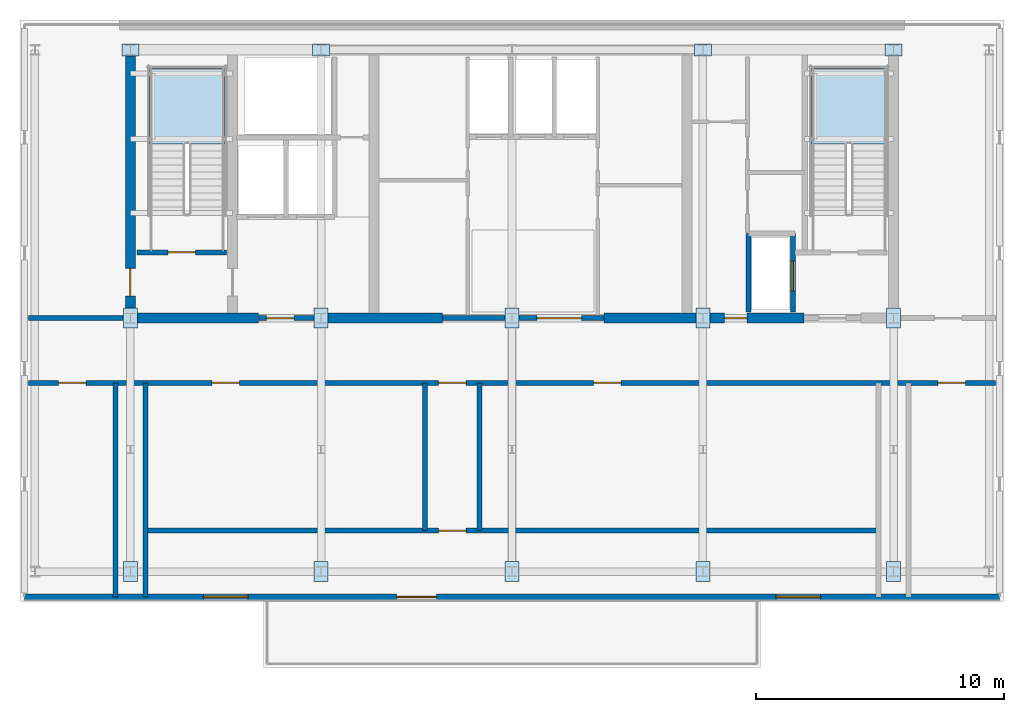
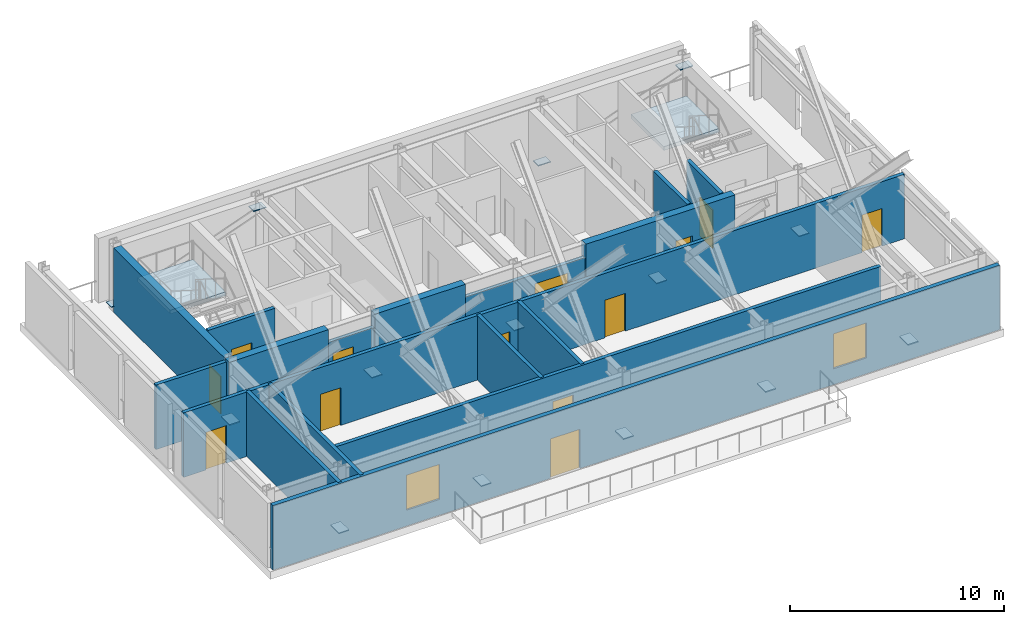
# One storey, part 2 of 8: 17 walls, 14 plates, 13 doors, 2 slabs, 2 windows, 15 openings, 2 elements without a shape of their own.
"""IFC4 building model written with IfcOpenShell, lengths in metres."""

from ifc_helpers import new_model, si_unit, direction, frame, frame_2d, origin, origin_2d, place, context, subcontext, project, spatial, polyline, rectangle, outline, extrude, material, layer, layer_set, type_object, element, fill, aggregate, save


model = new_model("IFC4")

# Units and contexts
model_context = context("Model", 3, precision=1e-05, world=origin(), true_north=direction((0.0, 1.0)))
body_context = subcontext(model_context, "Body", "Model", "MODEL_VIEW")
ifc_project = project(units=[si_unit("LENGTHUNIT", "METRE"), si_unit("AREAUNIT", "SQUARE_METRE"), si_unit("VOLUMEUNIT", "CUBIC_METRE"), si_unit("PLANEANGLEUNIT", "RADIAN"), si_unit("MASSUNIT", "GRAM", prefix="KILO")], contexts=[model_context])

# Site, building, storey
site_placement = place(None, origin())
site = spatial("IfcSite", under=ifc_project, at=site_placement, CompositionType="ELEMENT")
building_placement = place(site_placement, origin())
building = spatial("IfcBuilding", under=site, at=building_placement, Name="Yelkora Congress Tower", CompositionType="ELEMENT")
storey_placement = place(building_placement, frame((0.0, 0.0, 247.39990234375)))
storey = spatial("IfcBuildingStorey", under=building, at=storey_placement, Name="L69", CompositionType="ELEMENT", Elevation=247.39990234375)

# Plates
ifc_material_1 = material(Name="Steel S355J2", Category="steel")
ifc_layer_1 = layer(ifc_material_1, 0.050048828125)
ifc_layer_set_1 = layer_set([ifc_layer_1], Name="Steel S355J2")
plate_type_1 = type_object("IfcPlateType", Name="PLT-GUSSET-680x480", PredefinedType="USERDEFINED", material=ifc_layer_set_1)
for number, where, z_axis, x_axis, name in (
    (1, (23.0400390625, 46.199951171875, 0.3251953125), (0.0, 0.0, 1.0), (1.0, 0.0, 0.0), "N4 Core Strut Foot Gusset W"),
    (2, (30.719970703125, 46.199951171875, 3.10498046875), (0.0, 0.0, 1.0), (1.0, 0.0, 0.0), "N4 Core Strut Top Gusset W"),
    (3, (46.080078125, 46.199951171875, 0.3251953125), (0.0, 0.0, 1.0), (1.0, 0.0, 0.0), "N4 Core Strut Foot Gusset E"),
    (4, (53.760009765625, 46.199951171875, 3.10498046875), (0.0, 0.0, 1.0), (1.0, 0.0, 0.0), "N4 Core Strut Top Gusset E"),
):
    element("IfcPlate", number, at=place(storey_placement, frame(where, z_axis=z_axis, x_axis=x_axis)), inside=storey, type_object=plate_type_1, Name=name, ObjectType="GUSSET_PLATE", PredefinedType="USERDEFINED", context=body_context, shape_type="SweptSolid", body=[
        extrude(rectangle(XDim=0.679931640625, YDim=0.47998046875, at=origin_2d()), origin(), (0.0, 0.0, 1.0), 0.050048828125),
    ])
ifc_material_2 = material(Name="Steel S460M", Category="steel")
ifc_layer_2 = layer(ifc_material_2, 0.06005859375)
ifc_layer_set_2 = layer_set([ifc_layer_2], Name="Steel S460M")
plate_type_2 = type_object("IfcPlateType", Name="PLT-GUSSET-800x560", PredefinedType="USERDEFINED", material=ifc_layer_set_2)
for number, where, z_axis, x_axis, name in (
    (5, (23.0400390625, 35.39990234375, 0.219970703125), (0.0, 0.0, 1.0), (0.0, 1.0, 0.0), "N4 Outrigger End Gusset Plate 1CB"),
    (6, (23.0400390625, 25.199951171875, 0.219970703125), (0.0, 0.0, 1.0), (0.0, 1.0, 0.0), "N4 Outrigger End Gusset Plate 1SB"),
    (7, (30.719970703125, 35.39990234375, 0.219970703125), (0.0, 0.0, 1.0), (0.0, 1.0, 0.0), "N4 Outrigger End Gusset Plate 2CB"),
    (8, (30.719970703125, 25.199951171875, 0.219970703125), (0.0, 0.0, 1.0), (0.0, 1.0, 0.0), "N4 Outrigger End Gusset Plate 2SB"),
    (9, (38.39990234375, 35.39990234375, 0.219970703125), (0.0, 0.0, 1.0), (0.0, 1.0, 0.0), "N4 Outrigger End Gusset Plate 3CB"),
    (10, (38.39990234375, 25.199951171875, 0.219970703125), (0.0, 0.0, 1.0), (0.0, 1.0, 0.0), "N4 Outrigger End Gusset Plate 3SB"),
    (11, (46.080078125, 35.39990234375, 0.219970703125), (0.0, 0.0, 1.0), (0.0, 1.0, 0.0), "N4 Outrigger End Gusset Plate 4CB"),
    (12, (46.080078125, 25.199951171875, 0.219970703125), (0.0, 0.0, 1.0), (0.0, 1.0, 0.0), "N4 Outrigger End Gusset Plate 4SB"),
    (13, (53.760009765625, 35.39990234375, 0.219970703125), (0.0, 0.0, 1.0), (0.0, 1.0, 0.0), "N4 Outrigger End Gusset Plate 5CB"),
    (14, (53.760009765625, 25.199951171875, 0.219970703125), (0.0, 0.0, 1.0), (0.0, 1.0, 0.0), "N4 Outrigger End Gusset Plate 5SB"),
):
    element("IfcPlate", number, at=place(storey_placement, frame(where, z_axis=z_axis, x_axis=x_axis)), inside=storey, type_object=plate_type_2, Name=name, ObjectType="GUSSET_PLATE", PredefinedType="USERDEFINED", context=body_context, shape_type="SweptSolid", body=[
        extrude(rectangle(XDim=0.800048828125, YDim=0.56005859375, at=origin_2d()), origin(), (0.0, 0.0, 1.0), 0.06005859375),
    ])

# Stair, slab
ifc_material_3 = material(Name="Concrete C40/50", Category="concrete")
stair_type = type_object("IfcStairType", Name="STAIR-HT-1420-R22-177", PredefinedType="HALF_TURN_STAIR", material=ifc_material_3)
stair_1_placement = place(storey_placement, origin())
stair_1 = element("IfcStair", 15, at=stair_1_placement, inside=storey, type_object=stair_type, Name="West Core Protected Exit Stair ST-01 (L69)", PredefinedType="HALF_TURN_STAIR")
ifc_layer_3 = layer(ifc_material_3, 0.219970703125)
ifc_layer_set_3 = layer_set([ifc_layer_3], Name="Concrete C40/50")
slab_type = type_object("IfcSlabType", Name="SLAB-LANDING-220", PredefinedType="LANDING", material=ifc_layer_set_3)
slab_1_placement = place(storey_placement, frame((0.0, 0.0, 1.72998046875)))
slab_1 = element("IfcSlab", 16, at=slab_1_placement, type_object=slab_type, Name="ST-01 L69 Half Landing 1", PredefinedType="LANDING", context=body_context, shape_type="SweptSolid", body=[
    extrude(outline(polyline([(26.820068359375, 42.39990234375), (26.820068359375, 45.469970703125), (23.820068359375, 45.469970703125), (23.820068359375, 42.39990234375), (26.820068359375, 42.39990234375)])), origin(), (0.0, 0.0, 1.0), 0.22021484375),
])
aggregate(stair_1, [slab_1])

stair_2_placement = place(storey_placement, origin())
stair_2 = element("IfcStair", 17, at=stair_2_placement, inside=storey, type_object=stair_type, Name="East Core Protected Exit Stair ST-02 (L69)", PredefinedType="HALF_TURN_STAIR")
slab_2_placement = place(storey_placement, frame((0.0, 0.0, 1.72998046875)))
slab_2 = element("IfcSlab", 18, at=slab_2_placement, type_object=slab_type, Name="ST-02 L69 Half Landing 1", PredefinedType="LANDING", context=body_context, shape_type="SweptSolid", body=[
    extrude(outline(polyline([(53.4599609375, 42.39990234375), (53.4599609375, 45.469970703125), (50.4599609375, 45.469970703125), (50.4599609375, 42.39990234375), (53.4599609375, 42.39990234375)])), origin(), (0.0, 0.0, 1.0), 0.22021484375),
])
aggregate(stair_2, [slab_2])

# Walls
ifc_material_4 = material(Name="Concrete C50/60", Category="concrete")
ifc_layer_4 = layer(ifc_material_4, 0.39990234375)
ifc_layer_set_4 = layer_set([ifc_layer_4], Name="Concrete C50/60")
wall_type_1 = type_object("IfcWallType", Name="WALL-CORE-INT-400", PredefinedType="SHEAR", material=ifc_layer_set_4)
wall_1_placement = place(storey_placement, frame((22.840087890625, 35.39990234375, 0.0), z_axis=(0.0, 0.0, 1.0), x_axis=(1.0, 0.0, 0.0)))
element("IfcWall", 19, at=wall_1_placement, inside=storey, type_object=wall_type_1, Name="L69 Rear Core South-West Shear Wall", PredefinedType="SHEAR", context=body_context, shape_type="SweptSolid", body=[
    extrude(rectangle(XDim=5.35986328125, YDim=0.39990234375, at=frame_2d((2.679931640625, 0.0))), origin(), (0.0, 0.0, 1.0), 3.68017578125),
])
wall_2_placement = place(storey_placement, frame((30.719970703125, 35.39990234375, 0.0), z_axis=(0.0, 0.0, 1.0), x_axis=(1.0, 0.0, 0.0)))
element("IfcWall", 20, at=wall_2_placement, inside=storey, type_object=wall_type_1, Name="L69 Rear Core South-Center Shear Pier", PredefinedType="SHEAR", context=body_context, shape_type="SweptSolid", body=[
    extrude(rectangle(XDim=4.880126953125, YDim=0.39990234375, at=frame_2d((2.43994140625, 0.0))), origin(), (0.0, 0.0, 1.0), 3.68017578125),
])

# Wall, opening, door
wall_3_placement = place(storey_placement, frame((42.10009765625, 35.39990234375, 0.0), z_axis=(0.0, 0.0, 1.0), x_axis=(1.0, 0.0, 0.0)))
wall_3 = element("IfcWall", 21, at=wall_3_placement, inside=storey, type_object=wall_type_1, Name="L69 Rear Core South-East Shear Wall A", PredefinedType="SHEAR", context=body_context, shape_type="SweptSolid", body=[
    extrude(rectangle(XDim=8.0498046875, YDim=0.39990234375, at=frame_2d((4.02490234375, 0.0))), origin(), (0.0, 0.0, 1.0), 3.68017578125),
])
opening_1_placement = place(wall_3_placement, frame((4.85009765625, 0.0, 0.0)))
opening_1 = element("IfcOpeningElement", 22, at=opening_1_placement, cuts=wall_3, Name="Opening DR-090F6", PredefinedType="OPENING", context=body_context, shape_type="SweptSolid", body=[
    extrude(rectangle(XDim=0.89990234375, YDim=2.14990234375, at=frame_2d((0.449951171875, 1.074951171875))), frame((0.0, 0.2099609375, 0.0), z_axis=(0.0, -1.0, 0.0), x_axis=(1.0, 0.0, 0.0)), (0.0, 0.0, 1.0), 0.419921875),
])
ifc_material_5 = material(Name="Painted steel riser fire door leaf", Category="steel")
door_type_1 = type_object("IfcDoorType", Name="DOOR-FD60-900", OperationType="NOTDEFINED", PredefinedType="DOOR", material=ifc_material_5)
door_1_placement = place(opening_1_placement, origin())
door_1 = element("IfcDoor", 23, at=door_1_placement, inside=storey, type_object=door_type_1, Name="L69 Core Washroom Lobby Door", OperationType="SINGLE_SWING_RIGHT", OverallHeight=2.14990234375, OverallWidth=0.89990234375, PredefinedType="DOOR", context=body_context, shape_type="SweptSolid", body=[
    extrude(rectangle(XDim=0.89990234375, YDim=2.14990234375, at=frame_2d((0.449951171875, 1.074951171875))), frame((0.0, 0.02490234375, 0.0), z_axis=(0.0, -1.0, 0.0), x_axis=(1.0, 0.0, 0.0)), (0.0, 0.0, 1.0), 0.050048828125),
])
fill(opening_1, door_1)

wall_4_placement = place(storey_placement, frame((23.0400390625, 35.60009765625, 0.0), z_axis=(0.0, 0.0, 1.0), x_axis=(0.0, 1.0, 0.0)))
wall_4 = element("IfcWall", 24, at=wall_4_placement, inside=storey, type_object=wall_type_1, Name="L69 Rear Core Cross Shear Wall W", PredefinedType="SHEAR", context=body_context, shape_type="SweptSolid", body=[
    extrude(rectangle(XDim=10.39990234375, YDim=0.39990234375, at=frame_2d((5.199951171875, 0.0))), origin(), (0.0, 0.0, 1.0), 3.68017578125),
])
opening_2_placement = place(wall_4_placement, frame((0.699951171875, 0.0, 0.0)))
opening_2 = element("IfcOpeningElement", 25, at=opening_2_placement, cuts=wall_4, Name="Opening DR-110F9", PredefinedType="OPENING", context=body_context, shape_type="SweptSolid", body=[
    extrude(rectangle(XDim=1.10009765625, YDim=2.14990234375, at=frame_2d((0.550048828125, 1.074951171875))), frame((0.0, 0.2099609375, 0.0), z_axis=(0.0, -1.0, 0.0), x_axis=(1.0, 0.0, 0.0)), (0.0, 0.0, 1.0), 0.419921875),
])
ifc_material_6 = material(Name="Galvanised steel fire door leaf", Category="steel")
door_type_2 = type_object("IfcDoorType", Name="DOOR-FD90-1100", OperationType="NOTDEFINED", PredefinedType="DOOR", material=ifc_material_6)
door_2_placement = place(opening_2_placement, origin())
door_2 = element("IfcDoor", 26, at=door_2_placement, inside=storey, type_object=door_type_2, Name="L69 Area of Refuge Direct Stair-Lobby Door", OperationType="SINGLE_SWING_LEFT", OverallHeight=2.14990234375, OverallWidth=1.10009765625, PredefinedType="DOOR", context=body_context, shape_type="SweptSolid", body=[
    extrude(rectangle(XDim=1.10009765625, YDim=2.14990234375, at=frame_2d((0.550048828125, 1.074951171875))), frame((0.0, 0.02490234375, 0.0), z_axis=(0.0, -1.0, 0.0), x_axis=(1.0, 0.0, 0.0)), (0.0, 0.0, 1.0), 0.050048828125),
])
fill(opening_2, door_2)

# Wall, openings, door, windows
ifc_layer_5 = layer(ifc_material_3, 0.239990234375)
ifc_layer_set_5 = layer_set([ifc_layer_5], Name="Concrete C40/50")
wall_type_2 = type_object("IfcWallType", Name="WALL-EXT-LIMESTONE-240", PredefinedType="SOLIDWALL", material=ifc_layer_set_5)
wall_5_placement = place(storey_placement, frame((18.780029296875, 24.179931640625, 0.0), z_axis=(0.0, 0.0, 1.0), x_axis=(1.0, 0.0, 0.0)))
wall_5 = element("IfcWall", 27, at=wall_5_placement, inside=storey, type_object=wall_type_2, Name="L69 Sky Garden Portal Wall", PredefinedType="SOLIDWALL", context=body_context, shape_type="SweptSolid", body=[
    extrude(rectangle(XDim=39.239990234375, YDim=0.239990234375, at=frame_2d((19.6201171875, 0.0))), origin(), (0.0, 0.0, 1.0), 3.68017578125),
])
opening_3_placement = place(wall_5_placement, frame((14.97998046875, 0.0, 0.0)))
opening_3 = element("IfcOpeningElement", 28, at=opening_3_placement, cuts=wall_5, Name="Opening DE-160T", PredefinedType="OPENING", context=body_context, shape_type="SweptSolid", body=[
    extrude(rectangle(XDim=1.60009765625, YDim=2.25, at=frame_2d((0.800048828125, 1.125))), frame((0.0, 0.1298828125, 0.0), z_axis=(0.0, -1.0, 0.0), x_axis=(1.0, 0.0, 0.0)), (0.0, 0.0, 1.0), 0.260009765625),
])
opening_4_placement = place(wall_5_placement, frame((7.199951171875, 0.0, 0.89990234375)))
opening_4 = element("IfcOpeningElement", 29, at=opening_4_placement, cuts=wall_5, Name="Opening WN-18", PredefinedType="OPENING", context=body_context, shape_type="SweptSolid", body=[
    extrude(rectangle(XDim=1.800048828125, YDim=2.0, at=frame_2d((0.89990234375, 1.0))), frame((0.0, 0.1298828125, 0.0), z_axis=(0.0, -1.0, 0.0), x_axis=(1.0, 0.0, 0.0)), (0.0, 0.0, 1.0), 0.260009765625),
])
opening_5_placement = place(wall_5_placement, frame((30.239990234375, 0.0, 0.89990234375)))
opening_5 = element("IfcOpeningElement", 30, at=opening_5_placement, cuts=wall_5, Name="Opening WN-18", PredefinedType="OPENING", context=body_context, shape_type="SweptSolid", body=[
    extrude(rectangle(XDim=1.800048828125, YDim=2.0, at=frame_2d((0.89990234375, 1.0))), frame((0.0, 0.1298828125, 0.0), z_axis=(0.0, -1.0, 0.0), x_axis=(1.0, 0.0, 0.0)), (0.0, 0.0, 1.0), 0.260009765625),
])
ifc_material_7 = material(Name="Thermally broken aluminium glazed terrace door", Category="aluminium")
door_type_3 = type_object("IfcDoorType", Name="DOOR-EXT-TERRACE-1600", OperationType="DOUBLE_DOOR_SINGLE_SWING", PredefinedType="DOOR", material=ifc_material_7)
door_3_placement = place(opening_3_placement, frame((1.60009765625, 0.0, 0.0), z_axis=(0.0, 0.0, 1.0), x_axis=(-1.0, 0.0, 0.0)))
door_3 = element("IfcDoor", 31, at=door_3_placement, inside=storey, type_object=door_type_3, Name="L69 Sky Garden Terrace Access Door", OperationType="SINGLE_SWING_LEFT", OverallHeight=2.25, OverallWidth=1.60009765625, PredefinedType="DOOR", context=body_context, shape_type="SweptSolid", body=[
    extrude(rectangle(XDim=1.60009765625, YDim=2.25, at=frame_2d((0.800048828125, 1.125))), frame((0.0, 0.02490234375, 0.0), z_axis=(0.0, -1.0, 0.0), x_axis=(1.0, 0.0, 0.0)), (0.0, 0.0, 1.0), 0.050048828125),
])
fill(opening_3, door_3)
ifc_material_8 = material(Name="Thermally broken aluminium low-E window", Category="aluminium")
window_type = type_object("IfcWindowType", Name="WIN-POD-1800x2000", PartitioningType="SINGLE_PANEL", PredefinedType="WINDOW", material=ifc_material_8)
window_1_placement = place(opening_4_placement, origin())
window_1 = element("IfcWindow", 32, at=window_1_placement, inside=storey, type_object=window_type, Name="L69 Plant Acoustic Louvred Window 1", OverallHeight=2.0, OverallWidth=1.800048828125, PartitioningType="SINGLE_PANEL", PredefinedType="WINDOW", context=body_context, shape_type="SweptSolid", body=[
    extrude(rectangle(XDim=1.800048828125, YDim=2.0, at=frame_2d((0.89990234375, 1.0))), frame((0.0, 0.030029296875, 0.0), z_axis=(0.0, -1.0, 0.0), x_axis=(1.0, 0.0, 0.0)), (0.0, 0.0, 1.0), 0.06005859375),
])
fill(opening_4, window_1)
window_2_placement = place(opening_5_placement, origin())
window_2 = element("IfcWindow", 33, at=window_2_placement, inside=storey, type_object=window_type, Name="L69 Plant Acoustic Louvred Window 2", OverallHeight=2.0, OverallWidth=1.800048828125, PartitioningType="SINGLE_PANEL", PredefinedType="WINDOW", context=body_context, shape_type="SweptSolid", body=[
    extrude(rectangle(XDim=1.800048828125, YDim=2.0, at=frame_2d((0.89990234375, 1.0))), frame((0.0, 0.030029296875, 0.0), z_axis=(0.0, -1.0, 0.0), x_axis=(1.0, 0.0, 0.0)), (0.0, 0.0, 1.0), 0.06005859375),
])
fill(opening_5, window_2)

# Wall, opening, door
ifc_material_9 = material(Name="Autoclaved aerated concrete blockwork", Category="masonry")
ifc_layer_6 = layer(ifc_material_9, 0.199951171875)
ifc_layer_set_6 = layer_set([ifc_layer_6], Name="Autoclaved aerated concrete blockwork")
wall_type_3 = type_object("IfcWallType", Name="WALL-INT-200-R120", PredefinedType="PARTITIONING", material=ifc_layer_set_6)
wall_6_placement = place(storey_placement, frame((23.300048828125, 38.050048828125, 0.0), z_axis=(0.0, 0.0, 1.0), x_axis=(1.0, 0.0, 0.0)))
wall_6 = element("IfcWall", 34, at=wall_6_placement, inside=storey, type_object=wall_type_3, Name="L69 Stair ST-01 Enclosure Wall", PredefinedType="PARTITIONING", context=body_context, shape_type="SweptSolid", body=[
    extrude(rectangle(XDim=3.619873046875, YDim=0.199951171875, at=frame_2d((1.81005859375, 0.0))), origin(), (0.0, 0.0, 1.0), 3.68017578125),
])
opening_6_placement = place(wall_6_placement, frame((1.260009765625, 0.0, 0.0)))
opening_6 = element("IfcOpeningElement", 35, at=opening_6_placement, cuts=wall_6, Name="Opening DR-110F9", PredefinedType="OPENING", context=body_context, shape_type="SweptSolid", body=[
    extrude(rectangle(XDim=1.10009765625, YDim=2.14990234375, at=frame_2d((0.550048828125, 1.074951171875))), frame((0.0, 0.10986328125, 0.0), z_axis=(0.0, -1.0, 0.0), x_axis=(1.0, 0.0, 0.0)), (0.0, 0.0, 1.0), 0.219970703125),
])
door_4_placement = place(opening_6_placement, origin())
door_4 = element("IfcDoor", 36, at=door_4_placement, inside=storey, type_object=door_type_2, Name="L69 Stair ST-01 Entry Door", OperationType="SINGLE_SWING_LEFT", OverallHeight=2.14990234375, OverallWidth=1.10009765625, PredefinedType="DOOR", context=body_context, shape_type="SweptSolid", body=[
    extrude(rectangle(XDim=1.10009765625, YDim=2.14990234375, at=frame_2d((0.550048828125, 1.074951171875))), frame((0.0, 0.02490234375, 0.0), z_axis=(0.0, -1.0, 0.0), x_axis=(1.0, 0.0, 0.0)), (0.0, 0.0, 1.0), 0.050048828125),
])
fill(opening_6, door_4)

wall_7_placement = place(storey_placement, frame((28.219970703125, 35.39990234375, 0.0), z_axis=(0.0, 0.0, 1.0), x_axis=(1.0, 0.0, 0.0)))
wall_7 = element("IfcWall", 37, at=wall_7_placement, inside=storey, type_object=wall_type_3, Name="L69 Firefighting Lobby South Wall", PredefinedType="PARTITIONING", context=body_context, shape_type="SweptSolid", body=[
    extrude(rectangle(XDim=2.5, YDim=0.199951171875, at=frame_2d((1.25, 0.0))), origin(), (0.0, 0.0, 1.0), 2.861083984375),
])
opening_7_placement = place(wall_7_placement, frame((0.300048828125, 0.0, 0.0)))
opening_7 = element("IfcOpeningElement", 38, at=opening_7_placement, cuts=wall_7, Name="Opening DR-110F9", PredefinedType="OPENING", context=body_context, shape_type="SweptSolid", body=[
    extrude(rectangle(XDim=1.10009765625, YDim=2.14990234375, at=frame_2d((0.550048828125, 1.074951171875))), frame((0.0, 0.10986328125, 0.0), z_axis=(0.0, -1.0, 0.0), x_axis=(1.0, 0.0, 0.0)), (0.0, 0.0, 1.0), 0.219970703125),
])
door_5_placement = place(opening_7_placement, origin())
door_5 = element("IfcDoor", 39, at=door_5_placement, inside=storey, type_object=door_type_2, Name="L69 Firefighting Lobby Corridor Door", OperationType="SINGLE_SWING_RIGHT", OverallHeight=2.14990234375, OverallWidth=1.10009765625, PredefinedType="DOOR", context=body_context, shape_type="SweptSolid", body=[
    extrude(rectangle(XDim=1.10009765625, YDim=2.14990234375, at=frame_2d((0.550048828125, 1.074951171875))), frame((0.0, 0.02490234375, 0.0), z_axis=(0.0, -1.0, 0.0), x_axis=(1.0, 0.0, 0.0)), (0.0, 0.0, 1.0), 0.050048828125),
])
fill(opening_7, door_5)

wall_8_placement = place(storey_placement, frame((35.60009765625, 35.39990234375, 0.0), z_axis=(0.0, 0.0, 1.0), x_axis=(1.0, 0.0, 0.0)))
wall_8 = element("IfcWall", 40, at=wall_8_placement, inside=storey, type_object=wall_type_3, Name="L69 Main Lift Lobby South Portal Wall", PredefinedType="PARTITIONING", context=body_context, shape_type="SweptSolid", body=[
    extrude(rectangle(XDim=6.5, YDim=0.199951171875, at=frame_2d((3.25, 0.0))), origin(), (0.0, 0.0, 1.0), 2.861083984375),
])
opening_8_placement = place(wall_8_placement, frame((3.800048828125, 0.0, 0.0)))
opening_8 = element("IfcOpeningElement", 41, at=opening_8_placement, cuts=wall_8, Name="Opening DR-180D", PredefinedType="OPENING", context=body_context, shape_type="SweptSolid", body=[
    extrude(rectangle(XDim=1.800048828125, YDim=2.300048828125, at=frame_2d((0.89990234375, 1.14990234375))), frame((0.0, 0.10986328125, 0.0), z_axis=(0.0, -1.0, 0.0), x_axis=(1.0, 0.0, 0.0)), (0.0, 0.0, 1.0), 0.219970703125),
])
ifc_material_10 = material(Name="Acoustic double congress hall doors", Category="wood")
door_type_4 = type_object("IfcDoorType", Name="DOOR-DBL-1800", OperationType="DOUBLE_DOOR_SINGLE_SWING", PredefinedType="DOOR", material=ifc_material_10)
door_6_placement = place(opening_8_placement, origin())
door_6 = element("IfcDoor", 42, at=door_6_placement, inside=storey, type_object=door_type_4, Name="L69 Main Lift Lobby Portal Door", OperationType="DOUBLE_DOOR_SINGLE_SWING", OverallHeight=2.300048828125, OverallWidth=1.800048828125, PredefinedType="DOOR", context=body_context, shape_type="SweptSolid", body=[
    extrude(rectangle(XDim=1.800048828125, YDim=2.300048828125, at=frame_2d((0.89990234375, 1.14990234375))), frame((0.0, 0.02490234375, 0.0), z_axis=(0.0, -1.0, 0.0), x_axis=(1.0, 0.0, 0.0)), (0.0, 0.0, 1.0), 0.050048828125),
])
fill(opening_8, door_6)

wall_9_placement = place(storey_placement, frame((49.699951171875, 35.64990234375, 0.0), z_axis=(0.0, 0.0, 1.0), x_axis=(0.0, 1.0, 0.0)))
wall_9 = element("IfcWall", 43, at=wall_9_placement, inside=storey, type_object=wall_type_3, Name="L69 Partition Wall 17", PredefinedType="PARTITIONING", context=body_context, shape_type="SweptSolid", body=[
    extrude(rectangle(XDim=3.150146484375, YDim=0.199951171875, at=frame_2d((1.5751953125, 0.0))), origin(), (0.0, 0.0, 1.0), 3.68017578125),
])
opening_9_placement = place(wall_9_placement, frame((0.85009765625, 0.0, 0.0)))
opening_9 = element("IfcOpeningElement", 44, at=opening_9_placement, cuts=wall_9, Name="Opening LD-SV12", PredefinedType="OPENING", context=body_context, shape_type="SweptSolid", body=[
    extrude(rectangle(XDim=1.199951171875, YDim=2.199951171875, at=frame_2d((0.60009765625, 1.10009765625))), frame((0.0, 0.10986328125, 0.0), z_axis=(0.0, -1.0, 0.0), x_axis=(1.0, 0.0, 0.0)), (0.0, 0.0, 1.0), 0.219970703125),
])
ifc_material_11 = material(Name="Heavy-duty stainless steel landing door", Category="steel")
door_type_5 = type_object("IfcDoorType", Name="DOOR-LIFT-SRV-1200", OperationType="DOUBLE_DOOR_SLIDING", PredefinedType="DOOR", material=ifc_material_11)
door_7_placement = place(opening_9_placement, origin())
door_7 = element("IfcDoor", 45, at=door_7_placement, inside=storey, type_object=door_type_5, Name="Service Lift Landing Door LF-SV1 L69", OperationType="DOUBLE_DOOR_SLIDING", OverallHeight=2.199951171875, OverallWidth=1.199951171875, PredefinedType="DOOR", context=body_context, shape_type="SweptSolid", body=[
    extrude(rectangle(XDim=1.199951171875, YDim=2.199951171875, at=frame_2d((0.60009765625, 1.10009765625))), frame((0.0, 0.02490234375, 0.0), z_axis=(0.0, -1.0, 0.0), x_axis=(1.0, 0.0, 0.0)), (0.0, 0.0, 1.0), 0.050048828125),
])
fill(opening_9, door_7)

# Walls
wall_10_placement = place(storey_placement, frame((47.919921875, 35.64990234375, 0.0), z_axis=(0.0, 0.0, 1.0), x_axis=(0.0, 1.0, 0.0)))
element("IfcWall", 46, at=wall_10_placement, inside=storey, type_object=wall_type_3, Name="L69 Partition Wall 18", PredefinedType="PARTITIONING", context=body_context, shape_type="SweptSolid", body=[
    extrude(rectangle(XDim=3.150146484375, YDim=0.199951171875, at=frame_2d((1.5751953125, 0.0))), origin(), (0.0, 0.0, 1.0), 3.68017578125),
])
wall_11_placement = place(storey_placement, frame((18.949951171875, 35.39990234375, 0.0), z_axis=(0.0, 0.0, 1.0), x_axis=(1.0, 0.0, 0.0)))
element("IfcWall", 47, at=wall_11_placement, inside=storey, type_object=wall_type_3, Name="L69 Partition Wall 23", PredefinedType="PARTITIONING", context=body_context, shape_type="SweptSolid", body=[
    extrude(rectangle(XDim=3.800048828125, YDim=0.199951171875, at=frame_2d((1.89990234375, 0.0))), origin(), (0.0, 0.0, 1.0), 3.68017578125),
])
for number, where, z_axis, x_axis, name in (
    (48, (22.449951171875, 24.179931640625, 0.0), (0.0, 0.0, 1.0), (0.0, 1.0, 0.0), "L69 Partition Wall 25"),
    (49, (23.64990234375, 24.179931640625, 0.0), (0.0, 0.0, 1.0), (0.0, 1.0, 0.0), "L69 Partition Wall 26"),
):
    element("IfcWall", number, at=place(storey_placement, frame(where, z_axis=z_axis, x_axis=x_axis)), inside=storey, type_object=wall_type_3, Name=name, PredefinedType="PARTITIONING", context=body_context, shape_type="SweptSolid", body=[
        extrude(rectangle(XDim=8.6201171875, YDim=0.199951171875, at=frame_2d((4.31005859375, 0.0))), origin(), (0.0, 0.0, 1.0), 3.68017578125),
    ])
for number, where, z_axis, x_axis, name in (
    (50, (34.89990234375, 26.85009765625, 0.0), (0.0, 0.0, 1.0), (0.0, 1.0, 0.0), "L69 Partition Wall 29"),
    (51, (37.10009765625, 26.85009765625, 0.0), (0.0, 0.0, 1.0), (0.0, 1.0, 0.0), "L69 Partition Wall 30"),
):
    element("IfcWall", number, at=place(storey_placement, frame(where, z_axis=z_axis, x_axis=x_axis)), inside=storey, type_object=wall_type_3, Name=name, PredefinedType="PARTITIONING", context=body_context, shape_type="SweptSolid", body=[
        extrude(rectangle(XDim=5.949951171875, YDim=0.199951171875, at=frame_2d((2.97509765625, 0.0))), origin(), (0.0, 0.0, 1.0), 3.68017578125),
    ])

# Wall, openings, doors
wall_12_placement = place(storey_placement, frame((18.949951171875, 32.800048828125, 0.0), z_axis=(0.0, 0.0, 1.0), x_axis=(1.0, 0.0, 0.0)))
wall_12 = element("IfcWall", 52, at=wall_12_placement, inside=storey, type_object=wall_type_3, Name="L69 Partition Wall 32", PredefinedType="PARTITIONING", context=body_context, shape_type="SweptSolid", body=[
    extrude(rectangle(XDim=38.900146484375, YDim=0.199951171875, at=frame_2d((19.4501953125, 0.0))), origin(), (0.0, 0.0, 1.0), 3.68017578125),
])
opening_10_placement = place(wall_12_placement, frame((1.199951171875, 0.0, 0.0)))
opening_10 = element("IfcOpeningElement", 53, at=opening_10_placement, cuts=wall_12, Name="Opening DR-110F9", PredefinedType="OPENING", context=body_context, shape_type="SweptSolid", body=[
    extrude(rectangle(XDim=1.10009765625, YDim=2.14990234375, at=frame_2d((0.550048828125, 1.074951171875))), frame((0.0, 0.10986328125, 0.0), z_axis=(0.0, -1.0, 0.0), x_axis=(1.0, 0.0, 0.0)), (0.0, 0.0, 1.0), 0.219970703125),
])
opening_11_placement = place(wall_12_placement, frame((7.3798828125, 0.0, 0.0)))
opening_11 = element("IfcOpeningElement", 54, at=opening_11_placement, cuts=wall_12, Name="Opening DR-110F9", PredefinedType="OPENING", context=body_context, shape_type="SweptSolid", body=[
    extrude(rectangle(XDim=1.10009765625, YDim=2.14990234375, at=frame_2d((0.550048828125, 1.074951171875))), frame((0.0, 0.10986328125, 0.0), z_axis=(0.0, -1.0, 0.0), x_axis=(1.0, 0.0, 0.0)), (0.0, 0.0, 1.0), 0.219970703125),
])
opening_12_placement = place(wall_12_placement, frame((16.5, 0.0, 0.0)))
opening_12 = element("IfcOpeningElement", 55, at=opening_12_placement, cuts=wall_12, Name="Opening DR-110F6", PredefinedType="OPENING", context=body_context, shape_type="SweptSolid", body=[
    extrude(rectangle(XDim=1.10009765625, YDim=2.14990234375, at=frame_2d((0.550048828125, 1.074951171875))), frame((0.0, 0.10986328125, 0.0), z_axis=(0.0, -1.0, 0.0), x_axis=(1.0, 0.0, 0.0)), (0.0, 0.0, 1.0), 0.219970703125),
])
opening_13_placement = place(wall_12_placement, frame((22.739990234375, 0.0, 0.0)))
opening_13 = element("IfcOpeningElement", 56, at=opening_13_placement, cuts=wall_12, Name="Opening DR-110F9", PredefinedType="OPENING", context=body_context, shape_type="SweptSolid", body=[
    extrude(rectangle(XDim=1.10009765625, YDim=2.14990234375, at=frame_2d((0.550048828125, 1.074951171875))), frame((0.0, 0.10986328125, 0.0), z_axis=(0.0, -1.0, 0.0), x_axis=(1.0, 0.0, 0.0)), (0.0, 0.0, 1.0), 0.219970703125),
])
opening_14_placement = place(wall_12_placement, frame((36.60009765625, 0.0, 0.0)))
opening_14 = element("IfcOpeningElement", 57, at=opening_14_placement, cuts=wall_12, Name="Opening DR-110F9", PredefinedType="OPENING", context=body_context, shape_type="SweptSolid", body=[
    extrude(rectangle(XDim=1.10009765625, YDim=2.14990234375, at=frame_2d((0.550048828125, 1.074951171875))), frame((0.0, 0.10986328125, 0.0), z_axis=(0.0, -1.0, 0.0), x_axis=(1.0, 0.0, 0.0)), (0.0, 0.0, 1.0), 0.219970703125),
])
ifc_material_12 = material(Name="Fire-rated composite timber-steel leaf", Category="steel")
door_type_6 = type_object("IfcDoorType", Name="DOOR-FD60-1100", OperationType="NOTDEFINED", PredefinedType="DOOR", material=ifc_material_12)
door_8_placement = place(opening_12_placement, origin())
door_8 = element("IfcDoor", 58, at=door_8_placement, inside=storey, type_object=door_type_6, Name="L69 Interior Door 24", OperationType="SINGLE_SWING_RIGHT", OverallHeight=2.14990234375, OverallWidth=1.10009765625, PredefinedType="DOOR", context=body_context, shape_type="SweptSolid", body=[
    extrude(rectangle(XDim=1.10009765625, YDim=2.14990234375, at=frame_2d((0.550048828125, 1.074951171875))), frame((0.0, 0.02490234375, 0.0), z_axis=(0.0, -1.0, 0.0), x_axis=(1.0, 0.0, 0.0)), (0.0, 0.0, 1.0), 0.050048828125),
])
fill(opening_12, door_8)
door_9_placement = place(opening_10_placement, origin())
door_9 = element("IfcDoor", 59, at=door_9_placement, inside=storey, type_object=door_type_2, Name="L69 Interior Door 22", OperationType="SINGLE_SWING_RIGHT", OverallHeight=2.14990234375, OverallWidth=1.10009765625, PredefinedType="DOOR", context=body_context, shape_type="SweptSolid", body=[
    extrude(rectangle(XDim=1.10009765625, YDim=2.14990234375, at=frame_2d((0.550048828125, 1.074951171875))), frame((0.0, 0.02490234375, 0.0), z_axis=(0.0, -1.0, 0.0), x_axis=(1.0, 0.0, 0.0)), (0.0, 0.0, 1.0), 0.050048828125),
])
fill(opening_10, door_9)
door_10_placement = place(opening_11_placement, origin())
door_10 = element("IfcDoor", 60, at=door_10_placement, inside=storey, type_object=door_type_2, Name="L69 Interior Door 23", OperationType="SINGLE_SWING_LEFT", OverallHeight=2.14990234375, OverallWidth=1.10009765625, PredefinedType="DOOR", context=body_context, shape_type="SweptSolid", body=[
    extrude(rectangle(XDim=1.10009765625, YDim=2.14990234375, at=frame_2d((0.550048828125, 1.074951171875))), frame((0.0, 0.02490234375, 0.0), z_axis=(0.0, -1.0, 0.0), x_axis=(1.0, 0.0, 0.0)), (0.0, 0.0, 1.0), 0.050048828125),
])
fill(opening_11, door_10)
door_11_placement = place(opening_13_placement, origin())
door_11 = element("IfcDoor", 61, at=door_11_placement, inside=storey, type_object=door_type_2, Name="L69 Interior Door 25", OperationType="SINGLE_SWING_LEFT", OverallHeight=2.14990234375, OverallWidth=1.10009765625, PredefinedType="DOOR", context=body_context, shape_type="SweptSolid", body=[
    extrude(rectangle(XDim=1.10009765625, YDim=2.14990234375, at=frame_2d((0.550048828125, 1.074951171875))), frame((0.0, 0.02490234375, 0.0), z_axis=(0.0, -1.0, 0.0), x_axis=(1.0, 0.0, 0.0)), (0.0, 0.0, 1.0), 0.050048828125),
])
fill(opening_13, door_11)
door_12_placement = place(opening_14_placement, origin())
door_12 = element("IfcDoor", 62, at=door_12_placement, inside=storey, type_object=door_type_2, Name="L69 Interior Door 26", OperationType="SINGLE_SWING_RIGHT", OverallHeight=2.14990234375, OverallWidth=1.10009765625, PredefinedType="DOOR", context=body_context, shape_type="SweptSolid", body=[
    extrude(rectangle(XDim=1.10009765625, YDim=2.14990234375, at=frame_2d((0.550048828125, 1.074951171875))), frame((0.0, 0.02490234375, 0.0), z_axis=(0.0, -1.0, 0.0), x_axis=(1.0, 0.0, 0.0)), (0.0, 0.0, 1.0), 0.050048828125),
])
fill(opening_14, door_12)

# Wall, opening, door
ifc_material_13 = material(Name="Autoclaved high-density acoustic blockwork", Category="masonry")
ifc_layer_7 = layer(ifc_material_13, 0.199951171875)
ifc_layer_set_7 = layer_set([ifc_layer_7], Name="Autoclaved high-density acoustic blockwork")
wall_type_4 = type_object("IfcWallType", Name="WALL-INT-200-R90", PredefinedType="PARTITIONING", material=ifc_layer_set_7)
wall_13_placement = place(storey_placement, frame((23.64990234375, 26.85009765625, 0.0), z_axis=(0.0, 0.0, 1.0), x_axis=(1.0, 0.0, 0.0)))
wall_13 = element("IfcWall", 63, at=wall_13_placement, inside=storey, type_object=wall_type_4, Name="L69 Partition Wall 31", PredefinedType="PARTITIONING", context=body_context, shape_type="SweptSolid", body=[
    extrude(rectangle(XDim=29.5, YDim=0.199951171875, at=frame_2d((14.75, 0.0))), origin(), (0.0, 0.0, 1.0), 3.68017578125),
])
opening_15_placement = place(wall_13_placement, frame((11.800048828125, 0.0, 0.0)))
opening_15 = element("IfcOpeningElement", 64, at=opening_15_placement, cuts=wall_13, Name="Opening DR-110F6", PredefinedType="OPENING", context=body_context, shape_type="SweptSolid", body=[
    extrude(rectangle(XDim=1.10009765625, YDim=2.14990234375, at=frame_2d((0.550048828125, 1.074951171875))), frame((0.0, 0.10986328125, 0.0), z_axis=(0.0, -1.0, 0.0), x_axis=(1.0, 0.0, 0.0)), (0.0, 0.0, 1.0), 0.219970703125),
])
door_13_placement = place(opening_15_placement, origin())
door_13 = element("IfcDoor", 65, at=door_13_placement, inside=storey, type_object=door_type_6, Name="L69 Sky Terrace Passage Door", OperationType="SINGLE_SWING_LEFT", OverallHeight=2.14990234375, OverallWidth=1.10009765625, PredefinedType="DOOR", context=body_context, shape_type="SweptSolid", body=[
    extrude(rectangle(XDim=1.10009765625, YDim=2.14990234375, at=frame_2d((0.550048828125, 1.074951171875))), frame((0.0, 0.02490234375, 0.0), z_axis=(0.0, -1.0, 0.0), x_axis=(1.0, 0.0, 0.0)), (0.0, 0.0, 1.0), 0.050048828125),
])
fill(opening_15, door_13)

save(model, "model.ifc")
